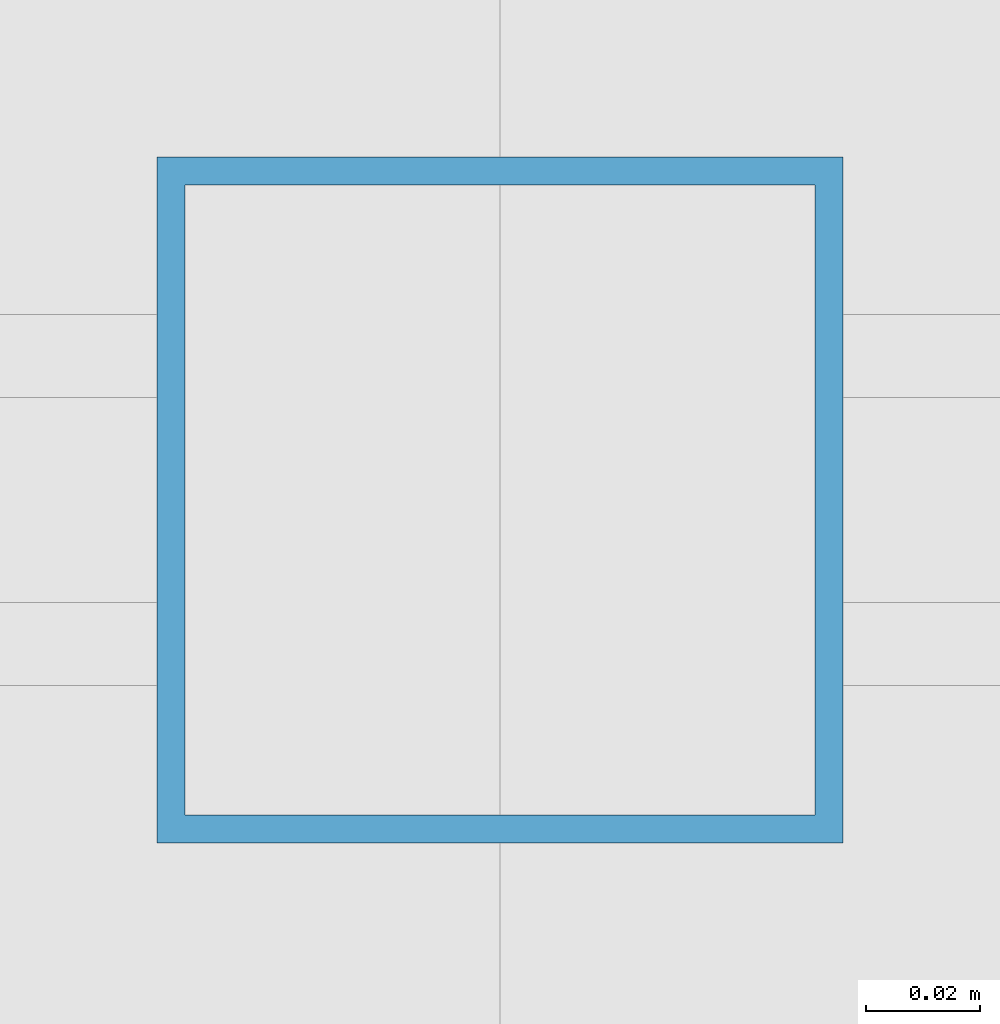
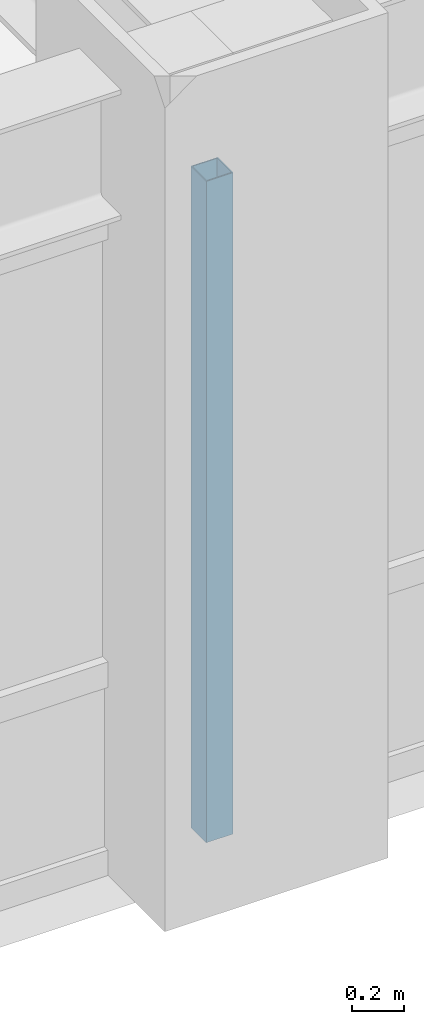
# One storey, part 4 of 24: 1 member, 1 element without a shape of its own.
"""IFC4 building model written with IfcOpenShell, lengths in metres."""

import ifcopenshell
import ifcopenshell.guid

model = None  # the IFC model being written
_history = None  # IfcOwnerHistory: only IFC2X3 demands one
_inside = {}  # id of a spatial element -> (the spatial element, [elements in it])
_under = {}  # id of a project, library or spatial element -> (it, [spatial elements below it])
_declared = {}  # id of a project -> (the project, [libraries it declares])
_typed = {}  # id of a type object -> (the type object, [elements of that type])
_made_of = {}  # id of a material, layer set ... -> (it, [elements and type objects made of it])


def new_model(schema):
    """Start an empty IFC model of exactly this schema.

    Asked for "IFC4X3", IfcOpenShell would pick the latest addendum, in which some entities
    have other attributes; the version numbers below select the first issue.
    IFC2X3 requires an IfcOwnerHistory on every rooted entity: one is made here for all.
    """
    global model, _history
    if schema == "IFC4X3":
        model = ifcopenshell.file(schema_version=(4, 3, 0, 0))
    else:
        model = ifcopenshell.file(schema=schema)
    _inside.clear()
    _under.clear()
    _declared.clear()
    _typed.clear()
    _made_of.clear()
    _history = None
    if model.schema == "IFC2X3":
        org = make("IfcOrganization", Name="unknown")
        user = make(
            "IfcPersonAndOrganization",
            ThePerson=make("IfcPerson", FamilyName="unknown"),
            TheOrganization=org,
        )
        app = make(
            "IfcApplication",
            ApplicationDeveloper=org,
            Version="unknown",
            ApplicationFullName="unknown",
            ApplicationIdentifier="unknown",
        )
        _history = make(
            "IfcOwnerHistory",
            OwningUser=user,
            OwningApplication=app,
            ChangeAction="ADDED",
            CreationDate=0,
        )
    return model


def make(cls, **values):
    """One entity of the class cls with the attributes given. An attribute that is None is left unset."""
    return model.create_entity(
        cls, **{name: value for name, value in values.items() if value is not None}
    )


def rooted(cls, **values):
    """An entity with a GlobalId (a new one), such as an element, a storey or a relation."""
    return make(cls, GlobalId=ifcopenshell.guid.new(), OwnerHistory=_history, **values)


def si_unit(unit_type, name, prefix=None):
    """IfcSIUnit, for example si_unit("LENGTHUNIT", "METRE", prefix="MILLI")."""
    return make("IfcSIUnit", UnitType=unit_type, Prefix=prefix, Name=name)


def assignment(units):
    """IfcUnitAssignment: the units of a project."""
    return None if units is None else make("IfcUnitAssignment", Units=units)


def point(xyz):
    """IfcCartesianPoint."""
    return None if xyz is None else make("IfcCartesianPoint", Coordinates=xyz)


def direction(xyz):
    """IfcDirection."""
    return None if xyz is None else make("IfcDirection", DirectionRatios=xyz)


def frame(location, z_axis=None, x_axis=None):
    """IfcAxis2Placement3D, a coordinate frame: its origin and axes. An axis left out is left unset."""
    return make(
        "IfcAxis2Placement3D",
        Location=point(location),
        Axis=direction(z_axis),
        RefDirection=direction(x_axis),
    )


def frame_2d(location, x_axis=None):
    """IfcAxis2Placement2D, a coordinate frame in the plane: its origin and x axis."""
    return make(
        "IfcAxis2Placement2D", Location=point(location), RefDirection=direction(x_axis)
    )


def origin():
    """The frame at (0, 0, 0) with its axes left unset."""
    return frame((0.0, 0.0, 0.0))


def origin_2d():
    """The frame at (0, 0) in the plane with its x axis left unset."""
    return frame_2d((0.0, 0.0))


def place(relative_to, where):
    """IfcLocalPlacement: puts the frame where relative to a parent placement (None: the world)."""
    return make(
        "IfcLocalPlacement", PlacementRelTo=relative_to, RelativePlacement=where
    )


def context(
    kind, dimensions, precision=None, world=None, true_north=None, identifier=None
):
    """IfcGeometricRepresentationContext, for example the 3D "Model" context."""
    return make(
        "IfcGeometricRepresentationContext",
        ContextIdentifier=identifier,
        ContextType=kind,
        CoordinateSpaceDimension=dimensions,
        Precision=precision,
        WorldCoordinateSystem=world,
        TrueNorth=true_north,
    )


def subcontext(parent, identifier, kind, view, scale=None):
    """IfcGeometricRepresentationSubContext, for example "Body" below "Model"."""
    return make(
        "IfcGeometricRepresentationSubContext",
        ContextIdentifier=identifier,
        ContextType=kind,
        ParentContext=parent,
        TargetScale=scale,
        TargetView=view,
    )


def project(units=None, contexts=None):
    """IfcProject with its units and contexts."""
    return rooted(
        "IfcProject",
        Name="project",
        RepresentationContexts=contexts,
        UnitsInContext=assignment(units),
    )


def spatial(cls, under=None, at=None, **own):
    """A site, building, storey or space (cls), placed at a placement, below another one or the project."""
    s = rooted(cls, ObjectPlacement=at, **own)
    if under is not None:
        _under.setdefault(under.id(), (under, []))[1].append(s)
    return s


def profile(cls, at=None, kind="AREA", **sizes):
    """A parametric profile (cls). Its sizes go by their IFC names, for example OverallWidth=200.0."""
    return make(cls, ProfileType=kind, Position=at, **sizes)


def hollow_rectangle(**sizes):
    """IfcRectangleHollowProfileDef."""
    return profile("IfcRectangleHollowProfileDef", **sizes)


def extrude(swept, where, along, depth):
    """IfcExtrudedAreaSolid: the profile swept, set in the frame where, extruded along a direction by depth."""
    return make(
        "IfcExtrudedAreaSolid",
        SweptArea=swept,
        Position=where,
        ExtrudedDirection=direction(along),
        Depth=depth,
    )


def shape(context_of_items, identifier, shape_type, items):
    """IfcShapeRepresentation: the items that make up one representation, for example the "Body"."""
    return make(
        "IfcShapeRepresentation",
        ContextOfItems=context_of_items,
        RepresentationIdentifier=identifier,
        RepresentationType=shape_type,
        Items=items,
    )


def source(mapping_origin, context_of_items, identifier, shape_type, items):
    """IfcRepresentationMap: a shape defined once, which mapped items show again and again."""
    return make(
        "IfcRepresentationMap",
        MappingOrigin=mapping_origin,
        MappedRepresentation=shape(context_of_items, identifier, shape_type, items),
    )


def transform(
    local_origin,
    x_axis=None,
    y_axis=None,
    z_axis=None,
    scale=None,
    scale2=None,
    scale3=None,
    uniform=True,
):
    """IfcCartesianTransformationOperator3D, or its non-uniform kind. x_axis, y_axis, z_axis: its Axis1, 2, 3."""
    if uniform:
        return make(
            "IfcCartesianTransformationOperator3D",
            Axis1=direction(x_axis),
            Axis2=direction(y_axis),
            LocalOrigin=point(local_origin),
            Scale=scale,
            Axis3=direction(z_axis),
        )
    return make(
        "IfcCartesianTransformationOperator3DnonUniform",
        Axis1=direction(x_axis),
        Axis2=direction(y_axis),
        LocalOrigin=point(local_origin),
        Scale=scale,
        Axis3=direction(z_axis),
        Scale2=scale2,
        Scale3=scale3,
    )


def mapped(mapping_source, mapping_target):
    """IfcMappedItem: shows the shape of a source again, moved by a transform."""
    return make(
        "IfcMappedItem", MappingSource=mapping_source, MappingTarget=mapping_target
    )


def material(Name=None, Category=None):
    """IfcMaterial."""
    return make("IfcMaterial", Name=Name, Category=Category)


def material_profile(
    of_material, cross_section, Name=None, Category=None, Priority=None
):
    """IfcMaterialProfile: a cross section and its material."""
    return make(
        "IfcMaterialProfile",
        Name=Name,
        Material=of_material,
        Profile=cross_section,
        Priority=Priority,
        Category=Category,
    )


def profile_set(profiles, Name=None, composite=None):
    """IfcMaterialProfileSet."""
    return make(
        "IfcMaterialProfileSet",
        Name=Name,
        MaterialProfiles=profiles,
        CompositeProfile=composite,
    )


def made_of(thing, what):
    """Note that an element or type object is made of a material, layer set ...; save() writes the relation."""
    if what is not None:
        _made_of.setdefault(what.id(), (what, []))[1].append(thing)
    return thing


def type_object(cls, material=None, **own):
    """A type object (cls), such as IfcWallType, which elements share."""
    return made_of(rooted(cls, **own), material)


def element(
    cls,
    number,
    at=None,
    inside=None,
    cuts=None,
    type_object=None,
    material=None,
    context=None,
    identifier="Body",
    shape_type=None,
    held_by="IfcProductDefinitionShape",
    body=None,
    shapes=None,
    **own,
):
    """One element of the class cls, such as IfcWall. Its Tag is "e" and its number.

    at: its placement. inside: the storey or other place that contains it. cuts: it is an
    opening in that element (IfcRelVoidsElement). A single representation is given by context,
    identifier, shape_type and body (its items); several are given by shapes. held_by: the class
    of the entity that holds the representations. save() writes the other relations.
    """
    e = rooted(cls, Tag="e%d" % number, ObjectPlacement=at, **own)
    if body is not None:
        shapes = [shape(context, identifier, shape_type, body)]
    if shapes is not None:
        e.Representation = make(held_by, Representations=shapes)
    if inside is not None:
        _inside.setdefault(inside.id(), (inside, []))[1].append(e)
    if cuts is not None:
        rooted(
            "IfcRelVoidsElement", RelatingBuildingElement=cuts, RelatedOpeningElement=e
        )
    if type_object is not None:
        _typed.setdefault(type_object.id(), (type_object, []))[1].append(e)
    return made_of(e, material)


def aggregate(whole, parts):
    """IfcRelAggregates: a whole, such as a stair, and the parts it consists of."""
    return rooted("IfcRelAggregates", RelatingObject=whole, RelatedObjects=parts)


def save(model, path):
    """Write the relations noted so far, then the file.

    IfcRelAggregates (storeys below a building ...), IfcRelContainedInSpatialStructure (elements
    in a storey), IfcRelDefinesByType, IfcRelAssociatesMaterial and IfcRelDeclares: one each for
    every whole, place, type object, material and project.
    """
    for whole, parts in _under.values():
        aggregate(whole, parts)
    for where, things in _inside.values():
        rooted(
            "IfcRelContainedInSpatialStructure",
            RelatedElements=things,
            RelatingStructure=where,
        )
    for kind, things in _typed.values():
        rooted("IfcRelDefinesByType", RelatedObjects=things, RelatingType=kind)
    for what, things in _made_of.values():
        rooted("IfcRelAssociatesMaterial", RelatedObjects=things, RelatingMaterial=what)
    for by, libraries in _declared.values():
        rooted("IfcRelDeclares", RelatingContext=by, RelatedDefinitions=libraries)
    model.write(path)


model = new_model("IFC4")

# Units and contexts
model_context = context("Model", 3, precision=1e-05, world=origin(), true_north=direction((0.0, 1.0)))
body_context = subcontext(model_context, "Body", "Model", "MODEL_VIEW")
ifc_project = project(units=[si_unit("LENGTHUNIT", "METRE"), si_unit("AREAUNIT", "SQUARE_METRE"), si_unit("VOLUMEUNIT", "CUBIC_METRE"), si_unit("PLANEANGLEUNIT", "RADIAN"), si_unit("MASSUNIT", "GRAM", prefix="KILO")], contexts=[model_context])

# Site, building, storey
site_placement = place(None, origin())
site = spatial("IfcSite", under=ifc_project, at=site_placement, CompositionType="ELEMENT")
building_placement = place(site_placement, origin())
building = spatial("IfcBuilding", under=site, at=building_placement, Name="Khorayat Bourse Tower", CompositionType="ELEMENT")
storey_placement = place(building_placement, frame((0.0, 0.0, 211.10009765625)))
storey = spatial("IfcBuildingStorey", under=building, at=storey_placement, Name="L49", CompositionType="ELEMENT", Elevation=211.10009765625)

# Curtain wall, member
ifc_material = material(Name="Aluminium EN AW-6063 T6", Category="aluminium")
curtain_wall_type = type_object("IfcCurtainWallType", Name="CW-SYS-03", PredefinedType="NOTDEFINED", material=ifc_material)
curtain_wall_placement = place(storey_placement, origin())
curtain_wall = element("IfcCurtainWall", 1, at=curtain_wall_placement, inside=storey, type_object=curtain_wall_type, Name="L49 Curtain Wall CW-L49-S1", PredefinedType="NOTDEFINED")
ifc_material_profile = material_profile(ifc_material, hollow_rectangle(XDim=0.1201171875, YDim=0.1201171875, WallThickness=0.0048828125, at=origin_2d()), Name="ALU 120x120x5")
ifc_profile_set = profile_set([ifc_material_profile], Name="Aluminium EN AW-6063 T6")
member_type = type_object("IfcMemberType", Name="CWM-VERT-120", PredefinedType="MULLION", material=ifc_profile_set)
shared_shape = source(origin(), body_context, "Body", "SweptSolid", [
    extrude(hollow_rectangle(XDim=0.1201171875, YDim=0.1201171875, WallThickness=0.0048828125, at=origin_2d()), origin(), (0.0, 0.0, 1.0), 3.1298828125),
])
member_placement = place(storey_placement, frame((0.0, -30.0, 0.0), z_axis=(0.0, 0.0, 1.0), x_axis=(0.0, 1.0, 0.0)))
member = element("IfcMember", 2, at=member_placement, type_object=member_type, Name="CW-L49-S1 Vertical Mullion 2", PredefinedType="MULLION", context=body_context, shape_type="MappedRepresentation", body=[
    mapped(shared_shape, transform((0.0, 0.0, 0.0), scale=1.0)),
])
aggregate(curtain_wall, [member])

save(model, "model.ifc")
